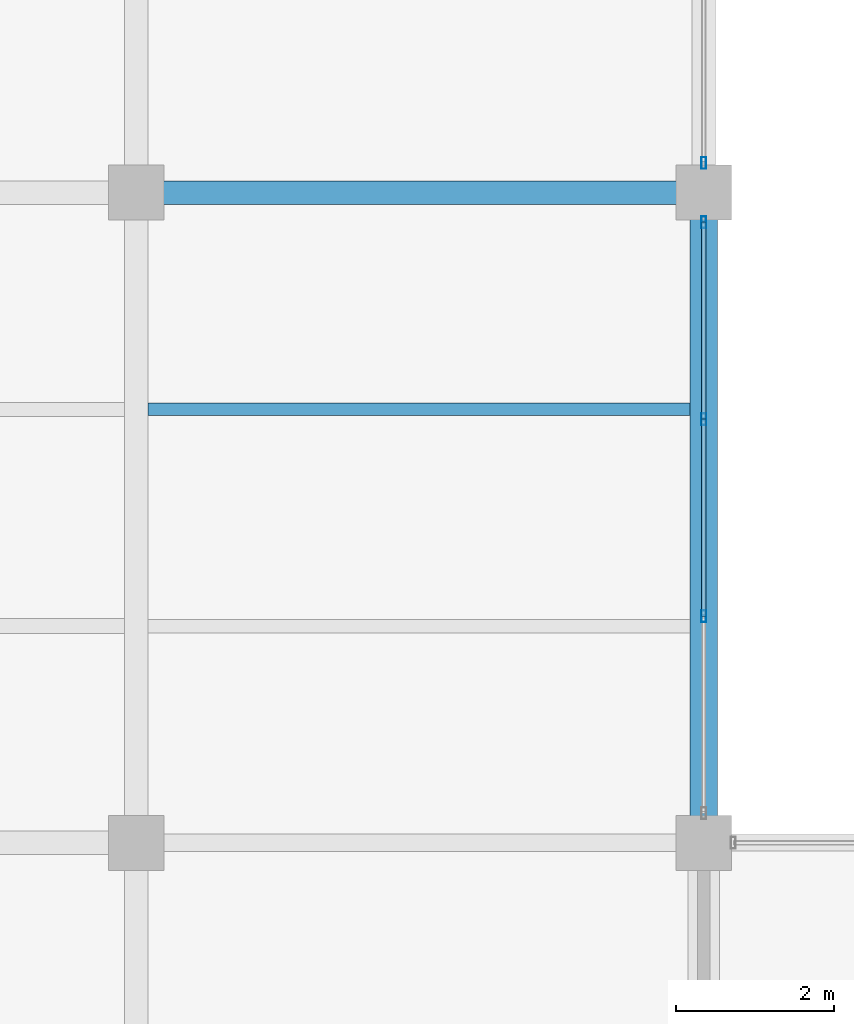
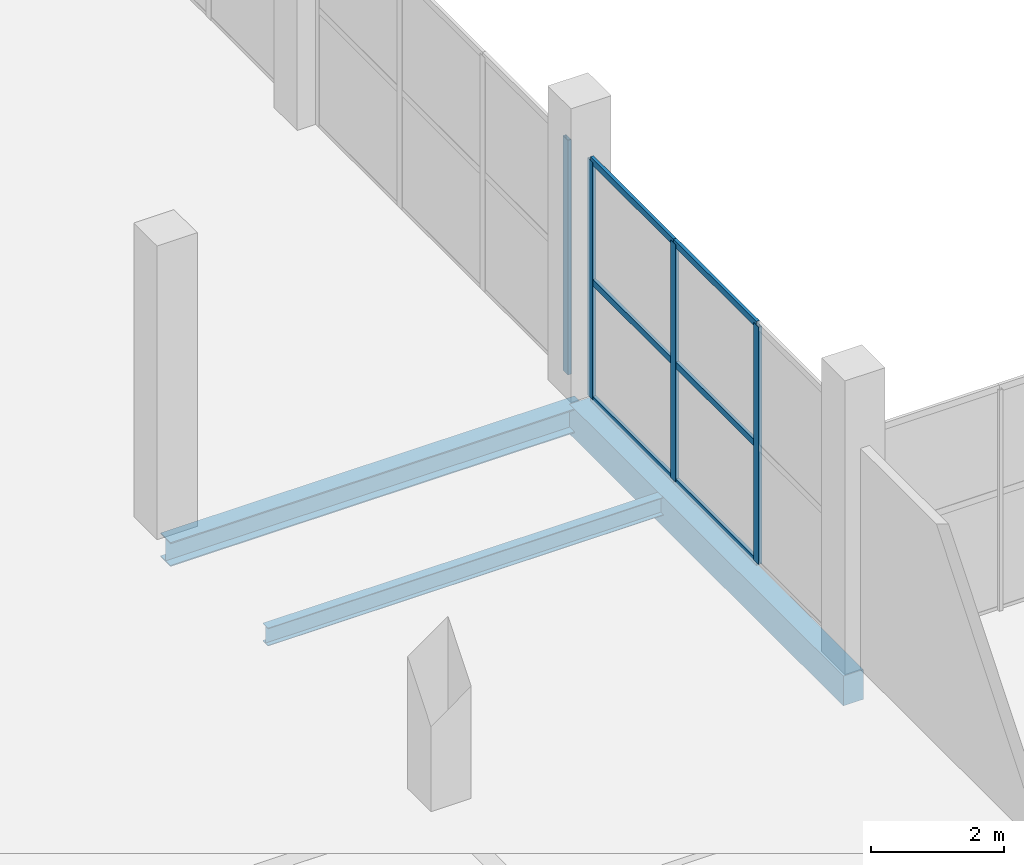
# One storey, part 67 of 147: 10 members, 3 beams, 2 elements without a shape of their own.
"""IFC4 building model written with IfcOpenShell, lengths in metres."""

from ifc_helpers import new_model, si_unit, direction, frame, origin, origin_2d, place, context, subcontext, project, spatial, rectangle, hollow_rectangle, i_section, extrude, material, layer, layer_set, material_profile, profile_set, type_object, element, aggregate, save


model = new_model("IFC4")

# Units and contexts
model_context = context("Model", 3, precision=1e-05, world=origin(), true_north=direction((0.0, 1.0)))
body_context = subcontext(model_context, "Body", "Model", "MODEL_VIEW")
ifc_project = project(units=[si_unit("LENGTHUNIT", "METRE"), si_unit("AREAUNIT", "SQUARE_METRE"), si_unit("VOLUMEUNIT", "CUBIC_METRE"), si_unit("PLANEANGLEUNIT", "RADIAN"), si_unit("MASSUNIT", "GRAM", prefix="KILO")], contexts=[model_context])

# Site, building, storey
site_placement = place(None, origin())
site = spatial("IfcSite", under=ifc_project, at=site_placement, CompositionType="ELEMENT")
building_placement = place(site_placement, origin())
building = spatial("IfcBuilding", under=site, at=building_placement, Name="Sundgate Opera House", CompositionType="ELEMENT")
storey_placement = place(building_placement, frame((0.0, 0.0, 6.0)))
storey = spatial("IfcBuildingStorey", under=building, at=storey_placement, Name="L01", CompositionType="ELEMENT", Elevation=6.0)

# Beams
ifc_material_1 = material(Name="Steel S355J2", Category="steel")
ifc_material_profile_1 = material_profile(ifc_material_1, i_section(OverallWidth=0.300048828125, OverallDepth=0.43994140625, WebThickness=0.011474609375, FlangeThickness=0.02099609375, at=origin_2d()), Name="HEA 450")
ifc_profile_set_1 = profile_set([ifc_material_profile_1], Name="Steel S355J2")
beam_type_1 = type_object("IfcBeamType", Name="BM-GR-HEA450", PredefinedType="BEAM", material=ifc_profile_set_1)
beam_1_placement = place(storey_placement, frame((117.0, 95.25, -0.52001953125), z_axis=(1.0, 0.0, 0.0), x_axis=(0.0, 1.0, 0.0)))
element("IfcBeam", 1, at=beam_1_placement, inside=storey, type_object=beam_type_1, Name="L01 Primary E-W Girder B1412", PredefinedType="BEAM", context=body_context, shape_type="SweptSolid", body=[
    extrude(i_section(OverallWidth=0.300048828125, OverallDepth=0.43994140625, WebThickness=0.011474609375, FlangeThickness=0.02099609375, at=origin_2d()), origin(), (0.0, 0.0, 1.0), 7.199951171875),
])
ifc_material_2 = material(Name="Steel S355J2", Category="steel")
ifc_material_profile_2 = material_profile(ifc_material_2, i_section(OverallWidth=0.159912109375, OverallDepth=0.330078125, WebThickness=0.007568359375, FlangeThickness=0.011474609375, at=origin_2d()), Name="IPE 330")
ifc_profile_set_2 = profile_set([ifc_material_profile_2], Name="Steel S355J2")
beam_type_2 = type_object("IfcBeamType", Name="BM-JS-IPE330", PredefinedType="JOIST", material=ifc_profile_set_2)
beam_2_placement = place(storey_placement, frame((117.14990234375, 92.5, -0.465087890625), z_axis=(1.0, 0.0, 0.0), x_axis=(0.0, 1.0, 0.0)))
element("IfcBeam", 2, at=beam_2_placement, inside=storey, type_object=beam_type_2, Name="L01 Secondary Floor Joist B1669", PredefinedType="JOIST", context=body_context, shape_type="SweptSolid", body=[
    extrude(i_section(OverallWidth=0.159912109375, OverallDepth=0.330078125, WebThickness=0.007568359375, FlangeThickness=0.011474609375, at=origin_2d()), origin(), (0.0, 0.0, 1.0), 6.875),
])
ifc_material_3 = material(Name="Concrete C35/45", Category="concrete")
ifc_material_profile_3 = material_profile(ifc_material_3, rectangle(XDim=0.35009765625, YDim=0.550048828125, at=origin_2d()), Name="RC 350x550")
ifc_profile_set_3 = profile_set([ifc_material_profile_3], Name="Concrete C35/45")
beam_type_3 = type_object("IfcBeamType", Name="BM-RC-350x550", PredefinedType="BEAM", material=ifc_profile_set_3)
beam_3_placement = place(storey_placement, frame((124.199951171875, 87.0, -0.574951171875), z_axis=(0.0, 1.0, 0.0), x_axis=(-1.0, 0.0, 0.0)))
element("IfcBeam", 3, at=beam_3_placement, inside=storey, type_object=beam_type_3, Name="L01 Primary N-S Girder B1203", PredefinedType="BEAM", context=body_context, shape_type="SweptSolid", body=[
    extrude(rectangle(XDim=0.35009765625, YDim=0.550048828125, at=origin_2d()), origin(), (0.0, 0.0, 1.0), 8.25),
])

# Curtain wall, members
ifc_material_4 = material(Name="Anodized aluminium and low-iron glass", Category="aluminium")
ifc_layer = layer(ifc_material_4, 0.159912109375)
ifc_layer_set = layer_set([ifc_layer], Name="Anodized aluminium and low-iron glass")
curtain_wall_type = type_object("IfcCurtainWallType", Name="CW-STUDIO-DARK", PredefinedType="NOTDEFINED", material=ifc_layer_set)
curtain_wall_1_placement = place(storey_placement, origin())
curtain_wall_1 = element("IfcCurtainWall", 4, at=curtain_wall_1_placement, inside=storey, type_object=curtain_wall_type, Name="L01 Curtain Wall CW102", PredefinedType="NOTDEFINED")
ifc_material_5 = material(Name="Anodized aluminium EN AW-6063", Category="aluminium")
ifc_material_profile_4 = material_profile(ifc_material_5, hollow_rectangle(XDim=0.06005859375, YDim=0.14990234375, WallThickness=0.00390625, at=origin_2d()), Name="CWM 150x60x4")
ifc_profile_set_4 = profile_set([ifc_material_profile_4], Name="Anodized aluminium EN AW-6063")
member_type_1 = type_object("IfcMemberType", Name="CWM-ALU-150x60", PredefinedType="MULLION", material=ifc_profile_set_4)
member_1_placement = place(storey_placement, frame((124.199951171875, 89.875, 0.0), z_axis=(0.0, 0.0, 1.0), x_axis=(1.0, 0.0, 0.0)))
member_1 = element("IfcMember", 5, at=member_1_placement, type_object=member_type_1, Name="CW102 Mullion 2", PredefinedType="MULLION", context=body_context, shape_type="SweptSolid", body=[
    extrude(hollow_rectangle(XDim=0.06005859375, YDim=0.14990234375, WallThickness=0.00390625, at=origin_2d()), origin(), (0.0, 0.0, 1.0), 4.364990234375),
])
member_2_placement = place(storey_placement, frame((124.199951171875, 92.375, 0.0), z_axis=(0.0, 0.0, 1.0), x_axis=(1.0, 0.0, 0.0)))
member_2 = element("IfcMember", 6, at=member_2_placement, type_object=member_type_1, Name="CW102 Mullion 3", PredefinedType="MULLION", context=body_context, shape_type="SweptSolid", body=[
    extrude(hollow_rectangle(XDim=0.06005859375, YDim=0.14990234375, WallThickness=0.00390625, at=origin_2d()), origin(), (0.0, 0.0, 1.0), 4.364990234375),
])
member_3_placement = place(storey_placement, frame((124.199951171875, 94.875, 0.0), z_axis=(0.0, 0.0, 1.0), x_axis=(1.0, 0.0, 0.0)))
member_3 = element("IfcMember", 7, at=member_3_placement, type_object=member_type_1, Name="CW102 Mullion 4", PredefinedType="MULLION", context=body_context, shape_type="SweptSolid", body=[
    extrude(hollow_rectangle(XDim=0.06005859375, YDim=0.14990234375, WallThickness=0.00390625, at=origin_2d()), origin(), (0.0, 0.0, 1.0), 4.364990234375),
])

# Curtain wall, member
curtain_wall_2_placement = place(storey_placement, origin())
curtain_wall_2 = element("IfcCurtainWall", 8, at=curtain_wall_2_placement, inside=storey, type_object=curtain_wall_type, Name="L01 Curtain Wall CW104", PredefinedType="NOTDEFINED")
member_4_placement = place(storey_placement, frame((124.199951171875, 95.625, 0.0), z_axis=(0.0, 0.0, 1.0), x_axis=(1.0, 0.0, 0.0)))
member_4 = element("IfcMember", 9, at=member_4_placement, type_object=member_type_1, Name="CW104 Mullion 1", PredefinedType="MULLION", context=body_context, shape_type="SweptSolid", body=[
    extrude(hollow_rectangle(XDim=0.06005859375, YDim=0.14990234375, WallThickness=0.00390625, at=origin_2d()), origin(), (0.0, 0.0, 1.0), 4.31494140625),
])
aggregate(curtain_wall_2, [member_4])

# Member
ifc_material_6 = material(Name="Anodized aluminium EN AW-6063", Category="aluminium")
ifc_material_profile_5 = material_profile(ifc_material_6, hollow_rectangle(XDim=0.054931640625, YDim=0.1201171875, WallThickness=0.00390625, at=origin_2d()), Name="CWT 120x55x4")
ifc_profile_set_5 = profile_set([ifc_material_profile_5], Name="Anodized aluminium EN AW-6063")
member_type_2 = type_object("IfcMemberType", Name="CWT-ALU-120x55", PredefinedType="USERDEFINED", material=ifc_profile_set_5)
member_5_placement = place(storey_placement, frame((124.199951171875, 89.875, 0.0), z_axis=(0.0, 1.0, 0.0), x_axis=(-1.0, 0.0, 0.0)))
member_5 = element("IfcMember", 10, at=member_5_placement, type_object=member_type_2, Name="CW102 Transom 4", ObjectType="TRANSOM", PredefinedType="USERDEFINED", context=body_context, shape_type="SweptSolid", body=[
    extrude(hollow_rectangle(XDim=0.054931640625, YDim=0.1201171875, WallThickness=0.00390625, at=origin_2d()), origin(), (0.0, 0.0, 1.0), 2.5),
])

member_6_placement = place(storey_placement, frame((124.199951171875, 89.875, 2.14990234375), z_axis=(0.0, 1.0, 0.0), x_axis=(-1.0, 0.0, 0.0)))
member_6 = element("IfcMember", 11, at=member_6_placement, type_object=member_type_2, Name="CW102 Transom 5", ObjectType="TRANSOM", PredefinedType="USERDEFINED", context=body_context, shape_type="SweptSolid", body=[
    extrude(hollow_rectangle(XDim=0.054931640625, YDim=0.1201171875, WallThickness=0.00390625, at=origin_2d()), origin(), (0.0, 0.0, 1.0), 2.5),
])

member_7_placement = place(storey_placement, frame((124.199951171875, 89.875, 4.364990234375), z_axis=(0.0, 1.0, 0.0), x_axis=(-1.0, 0.0, 0.0)))
member_7 = element("IfcMember", 12, at=member_7_placement, type_object=member_type_2, Name="CW102 Transom 6", ObjectType="TRANSOM", PredefinedType="USERDEFINED", context=body_context, shape_type="SweptSolid", body=[
    extrude(hollow_rectangle(XDim=0.054931640625, YDim=0.1201171875, WallThickness=0.00390625, at=origin_2d()), origin(), (0.0, 0.0, 1.0), 2.5),
])

member_8_placement = place(storey_placement, frame((124.199951171875, 92.375, 0.0), z_axis=(0.0, 1.0, 0.0), x_axis=(-1.0, 0.0, 0.0)))
member_8 = element("IfcMember", 13, at=member_8_placement, type_object=member_type_2, Name="CW102 Transom 7", ObjectType="TRANSOM", PredefinedType="USERDEFINED", context=body_context, shape_type="SweptSolid", body=[
    extrude(hollow_rectangle(XDim=0.054931640625, YDim=0.1201171875, WallThickness=0.00390625, at=origin_2d()), origin(), (0.0, 0.0, 1.0), 2.5),
])

member_9_placement = place(storey_placement, frame((124.199951171875, 92.375, 2.14990234375), z_axis=(0.0, 1.0, 0.0), x_axis=(-1.0, 0.0, 0.0)))
member_9 = element("IfcMember", 14, at=member_9_placement, type_object=member_type_2, Name="CW102 Transom 8", ObjectType="TRANSOM", PredefinedType="USERDEFINED", context=body_context, shape_type="SweptSolid", body=[
    extrude(hollow_rectangle(XDim=0.054931640625, YDim=0.1201171875, WallThickness=0.00390625, at=origin_2d()), origin(), (0.0, 0.0, 1.0), 2.5),
])

member_10_placement = place(storey_placement, frame((124.199951171875, 92.375, 4.364990234375), z_axis=(0.0, 1.0, 0.0), x_axis=(-1.0, 0.0, 0.0)))
member_10 = element("IfcMember", 15, at=member_10_placement, type_object=member_type_2, Name="CW102 Transom 9", ObjectType="TRANSOM", PredefinedType="USERDEFINED", context=body_context, shape_type="SweptSolid", body=[
    extrude(hollow_rectangle(XDim=0.054931640625, YDim=0.1201171875, WallThickness=0.00390625, at=origin_2d()), origin(), (0.0, 0.0, 1.0), 2.5),
])

aggregate(curtain_wall_1, [member_1, member_2, member_3, member_5, member_6, member_7, member_8, member_9, member_10])

save(model, "model.ifc")
